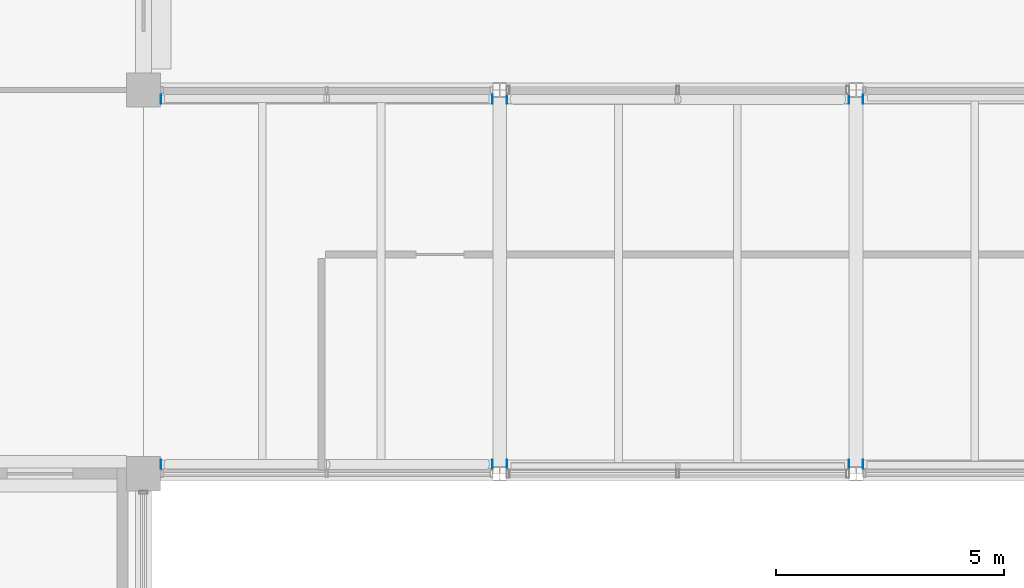
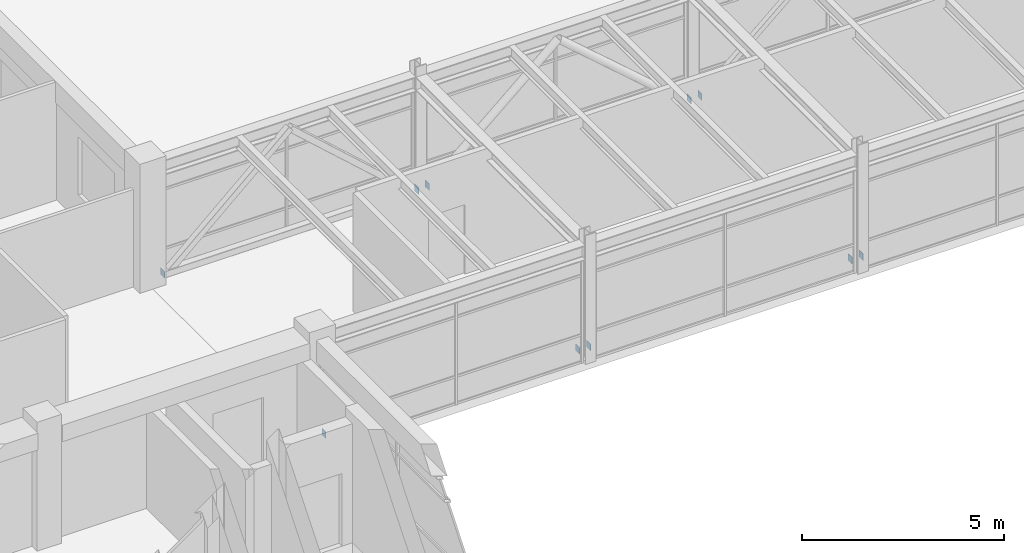
# One storey, part 44 of 72: 10 plates.
"""IFC4 building model written with IfcOpenShell, lengths in metres."""

from ifc_helpers import new_model, si_unit, direction, frame, origin, origin_2d, place, context, subcontext, project, spatial, rectangle, extrude, material, layer, layer_set, type_object, element, save


model = new_model("IFC4")

# Units and contexts
model_context = context("Model", 3, precision=1e-05, world=origin(), true_north=direction((0.0, 1.0)))
body_context = subcontext(model_context, "Body", "Model", "MODEL_VIEW")
ifc_project = project(units=[si_unit("LENGTHUNIT", "METRE"), si_unit("AREAUNIT", "SQUARE_METRE"), si_unit("VOLUMEUNIT", "CUBIC_METRE"), si_unit("PLANEANGLEUNIT", "RADIAN"), si_unit("MASSUNIT", "GRAM", prefix="KILO"), si_unit("THERMODYNAMICTEMPERATUREUNIT", "KELVIN"), si_unit("POWERUNIT", "WATT")], contexts=[model_context])

# Site, building, storey
site_placement = place(None, origin())
site = spatial("IfcSite", under=ifc_project, at=site_placement, CompositionType="ELEMENT")
building_placement = place(site_placement, origin())
building = spatial("IfcBuilding", under=site, at=building_placement, Name="Srebrne Nadtorze General Hospital", CompositionType="ELEMENT")
storey_placement = place(building_placement, frame((0.0, 0.0, 22.199951171875)))
storey = spatial("IfcBuildingStorey", under=building, at=storey_placement, Name="L05", CompositionType="ELEMENT", Elevation=22.199951171875)

# Plates
ifc_material = material(Name="Steel S355J2", Category="steel")
ifc_layer = layer(ifc_material, 0.011962890625)
ifc_layer_set = layer_set([ifc_layer], Name="Steel S355J2")
plate_type = type_object("IfcPlateType", Name="Steel bearing plate 12", PredefinedType="SHEET", material=ifc_layer_set)
for number, where, z_axis, x_axis, name in (
    (1, (54.98095703125, 50.60498046875, 0.14990234375), (0.0, 0.0, 1.0), (1.0, 0.0, 0.0), "Clinical courtyard bridge truss chord end plate 1-1"),
    (2, (62.243896484375, 50.60498046875, 0.14990234375), (0.0, 0.0, 1.0), (1.0, 0.0, 0.0), "Clinical courtyard bridge truss chord end plate 1-2"),
    (3, (62.555908203125, 50.60498046875, 0.14990234375), (0.0, 0.0, 1.0), (1.0, 0.0, 0.0), "Clinical courtyard bridge truss chord end plate 2-1"),
    (4, (70.0439453125, 50.60498046875, 0.14990234375), (0.0, 0.0, 1.0), (1.0, 0.0, 0.0), "Clinical courtyard bridge truss chord end plate 2-2"),
    (5, (70.35595703125, 50.60498046875, 0.14990234375), (0.0, 0.0, 1.0), (1.0, 0.0, 0.0), "Clinical courtyard bridge truss chord end plate 3-1"),
    (6, (54.98095703125, 58.594970703125, 0.14990234375), (0.0, 0.0, 1.0), (1.0, 0.0, 0.0), "Clinical courtyard bridge truss chord end plate 7-1"),
    (7, (62.243896484375, 58.594970703125, 0.14990234375), (0.0, 0.0, 1.0), (1.0, 0.0, 0.0), "Clinical courtyard bridge truss chord end plate 7-2"),
    (8, (62.555908203125, 58.594970703125, 0.14990234375), (0.0, 0.0, 1.0), (1.0, 0.0, 0.0), "Clinical courtyard bridge truss chord end plate 8-1"),
    (9, (70.0439453125, 58.594970703125, 0.14990234375), (0.0, 0.0, 1.0), (1.0, 0.0, 0.0), "Clinical courtyard bridge truss chord end plate 8-2"),
    (10, (70.35595703125, 58.594970703125, 0.14990234375), (0.0, 0.0, 1.0), (1.0, 0.0, 0.0), "Clinical courtyard bridge truss chord end plate 9-1"),
):
    element("IfcPlate", number, at=place(storey_placement, frame(where, z_axis=z_axis, x_axis=x_axis)), inside=storey, type_object=plate_type, Name=name, PredefinedType="SHEET", context=body_context, shape_type="SweptSolid", body=[
        extrude(rectangle(XDim=0.011962890625, YDim=0.199951171875, at=origin_2d()), origin(), (0.0, 0.0, 1.0), 0.199951171875),
    ])

save(model, "model.ifc")
